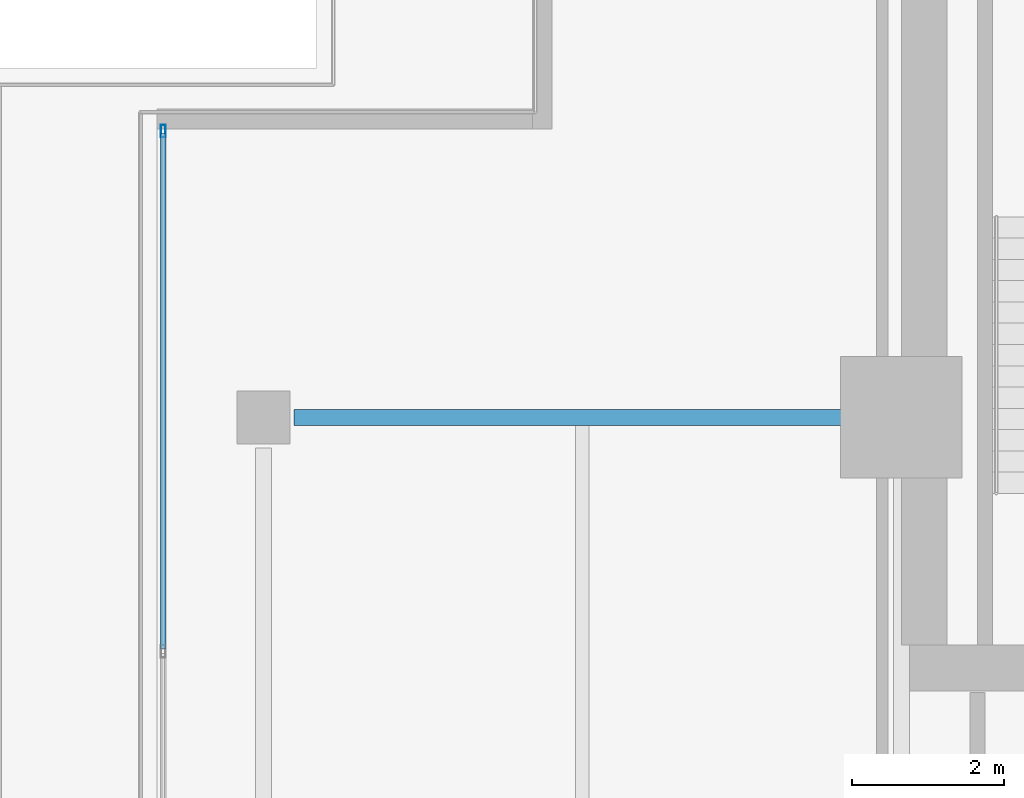
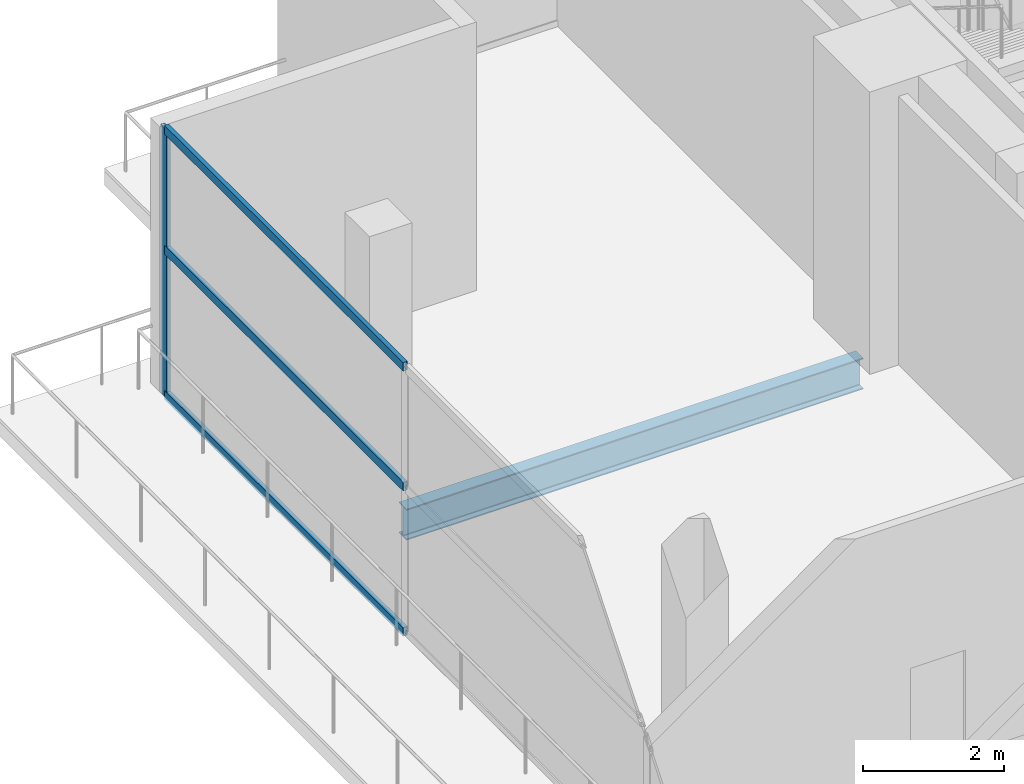
# One storey, part 16 of 28: 4 members, 1 beam, 1 element without a shape of its own.
"""IFC4 building model written with IfcOpenShell, lengths in metres."""

from ifc_helpers import new_model, si_unit, direction, frame, origin, origin_2d, place, context, subcontext, project, spatial, hollow_rectangle, i_section, extrude, material, layer, layer_set, material_profile, profile_set, type_object, element, aggregate, save


model = new_model("IFC4")

# Units and contexts
model_context = context("Model", 3, precision=1e-05, world=origin(), true_north=direction((0.0, 1.0)))
body_context = subcontext(model_context, "Body", "Model", "MODEL_VIEW")
ifc_project = project(units=[si_unit("LENGTHUNIT", "METRE"), si_unit("AREAUNIT", "SQUARE_METRE"), si_unit("VOLUMEUNIT", "CUBIC_METRE"), si_unit("PLANEANGLEUNIT", "RADIAN"), si_unit("MASSUNIT", "GRAM", prefix="KILO")], contexts=[model_context])

# Site, building, storey
site_placement = place(None, origin())
site = spatial("IfcSite", under=ifc_project, at=site_placement, CompositionType="ELEMENT")
building_placement = place(site_placement, origin())
building = spatial("IfcBuilding", under=site, at=building_placement, Name="Maruvema Waterfront Hotel and Observation Tower", CompositionType="ELEMENT")
storey_placement = place(building_placement, frame((0.0, 0.0, 234.5)))
storey = spatial("IfcBuildingStorey", under=building, at=storey_placement, Name="L57", CompositionType="ELEMENT", Elevation=234.5)

# Curtain wall, members
ifc_material_1 = material(Name="Anodised bronze aluminium and solar-control low-E IGU", Category="aluminium")
ifc_layer = layer(ifc_material_1, 0.159912109375, Name="Zone 3 Champagne Inner Thermal Curtain Wall System CW-04")
ifc_layer_set = layer_set([ifc_layer], Name="Anodised bronze aluminium and solar-control low-E IGU")
curtain_wall_type = type_object("IfcCurtainWallType", Name="Zone 3 Champagne Inner Thermal Curtain Wall System CW-04", PredefinedType="USERDEFINED", material=ifc_layer_set)
curtain_wall_placement = place(storey_placement, origin())
curtain_wall = element("IfcCurtainWall", 1, at=curtain_wall_placement, inside=storey, type_object=curtain_wall_type, Name="L57 Curtain Wall CW-L57-W", ObjectType="UNITISED CURTAIN WALL", PredefinedType="USERDEFINED")
ifc_material_2 = material(Name="Anodised architectural bronze aluminium", Category="aluminium")
ifc_material_profile_1 = material_profile(ifc_material_2, hollow_rectangle(XDim=0.070068359375, YDim=0.14990234375, WallThickness=0.00390625, at=origin_2d()), Name="ALU-T70x150")
ifc_profile_set_1 = profile_set([ifc_material_profile_1], Name="Anodised architectural bronze aluminium")
member_type_1 = type_object("IfcMemberType", Name="Curtain Wall Horizontal Transom ALU-T70x150", PredefinedType="USERDEFINED", material=ifc_profile_set_1)
member_1_placement = place(storey_placement, frame((15.47998046875, 48.739990234375, 0.030029296875), z_axis=(0.0, -1.0, 0.0), x_axis=(1.0, 0.0, 0.0)))
member_1 = element("IfcMember", 2, at=member_1_placement, type_object=member_type_1, Name="CW-04 transom 1.1", ObjectType="TRANSOM", PredefinedType="USERDEFINED", context=body_context, shape_type="SweptSolid", body=[
    extrude(hollow_rectangle(XDim=0.070068359375, YDim=0.14990234375, WallThickness=0.00390625, at=origin_2d()), origin(), (0.0, 0.0, 1.0), 6.7900390625),
])
member_2_placement = place(storey_placement, frame((15.47998046875, 48.739990234375, 2.550048828125), z_axis=(0.0, -1.0, 0.0), x_axis=(1.0, 0.0, 0.0)))
member_2 = element("IfcMember", 3, at=member_2_placement, type_object=member_type_1, Name="CW-04 transom 1.2", ObjectType="TRANSOM", PredefinedType="USERDEFINED", context=body_context, shape_type="SweptSolid", body=[
    extrude(hollow_rectangle(XDim=0.070068359375, YDim=0.14990234375, WallThickness=0.00390625, at=origin_2d()), origin(), (0.0, 0.0, 1.0), 6.7900390625),
])
member_3_placement = place(storey_placement, frame((15.47998046875, 48.739990234375, 4.6298828125), z_axis=(0.0, -1.0, 0.0), x_axis=(1.0, 0.0, 0.0)))
member_3 = element("IfcMember", 4, at=member_3_placement, type_object=member_type_1, Name="CW-04 transom 1.3", ObjectType="TRANSOM", PredefinedType="USERDEFINED", context=body_context, shape_type="SweptSolid", body=[
    extrude(hollow_rectangle(XDim=0.070068359375, YDim=0.14990234375, WallThickness=0.00390625, at=origin_2d()), origin(), (0.0, 0.0, 1.0), 6.7900390625),
])
ifc_material_3 = material(Name="Anodised architectural bronze aluminium", Category="aluminium")
ifc_material_profile_2 = material_profile(ifc_material_3, hollow_rectangle(XDim=0.06494140625, YDim=0.1650390625, WallThickness=0.00390625, at=origin_2d()), Name="ALU-M65x165")
ifc_profile_set_2 = profile_set([ifc_material_profile_2], Name="Anodised architectural bronze aluminium")
member_type_2 = type_object("IfcMemberType", Name="Curtain Wall Primary Mullion ALU-M65x165", PredefinedType="MULLION", material=ifc_profile_set_2)
member_4_placement = place(storey_placement, frame((15.47998046875, 48.77001953125, 0.0), z_axis=(0.0, 0.0, 1.0), x_axis=(1.0, 0.0, 0.0)))
member_4 = element("IfcMember", 5, at=member_4_placement, type_object=member_type_2, Name="CW-04 mullion 1", PredefinedType="MULLION", context=body_context, shape_type="SweptSolid", body=[
    extrude(hollow_rectangle(XDim=0.06494140625, YDim=0.1650390625, WallThickness=0.00390625, at=origin_2d()), origin(), (0.0, 0.0, 1.0), 4.659912109375),
])
aggregate(curtain_wall, [member_4, member_1, member_2, member_3])

# Beam
ifc_material_4 = material(Name="Steel ASTM A572 Grade 50", Category="steel")
ifc_material_profile_3 = material_profile(ifc_material_4, i_section(OverallWidth=0.2109375, OverallDepth=0.5390625, WebThickness=0.01171875, FlangeThickness=0.018798828125, FilletRadius=0.014892578125, at=origin_2d()), Name="W530x109.0")
ifc_profile_set_3 = profile_set([ifc_material_profile_3], Name="Steel ASTM A572 Grade 50")
beam_type = type_object("IfcBeamType", Name="Primary Floor Girder W530x109.0", PredefinedType="BEAM", material=ifc_profile_set_3)
beam_placement = place(storey_placement, frame((17.199951171875, 45.0, -0.509521484375), z_axis=(1.0, 0.0, 0.0), x_axis=(0.0, 1.0, 0.0)))
element("IfcBeam", 6, at=beam_placement, inside=storey, type_object=beam_type, Name="L57 Floor Girder EW-14", PredefinedType="BEAM", context=body_context, shape_type="SweptSolid", body=[
    extrude(i_section(OverallWidth=0.2109375, OverallDepth=0.5390625, WebThickness=0.01171875, FlangeThickness=0.018798828125, FilletRadius=0.014892578125, at=origin_2d()), origin(), (0.0, 0.0, 1.0), 7.5),
])

save(model, "model.ifc")
